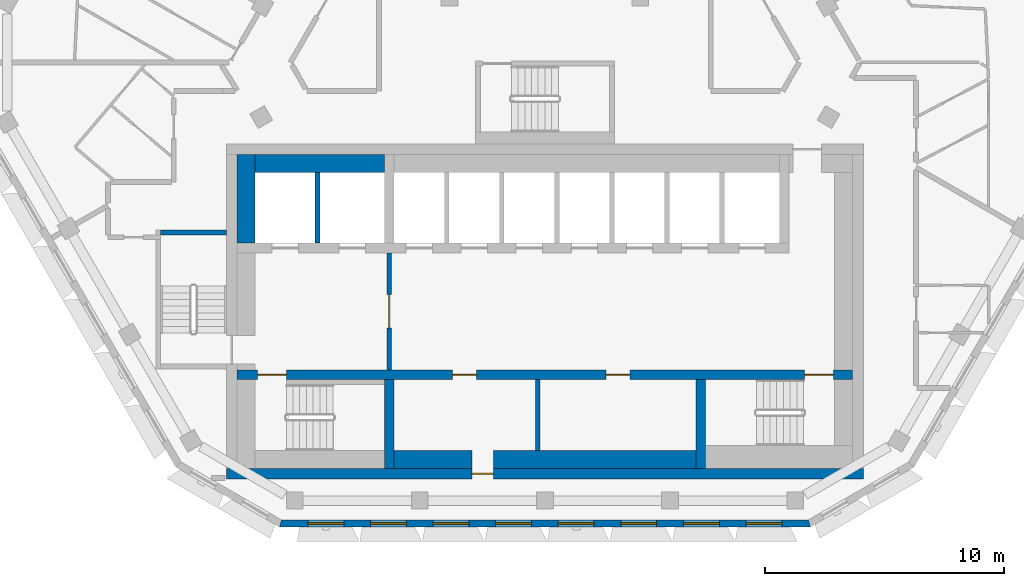
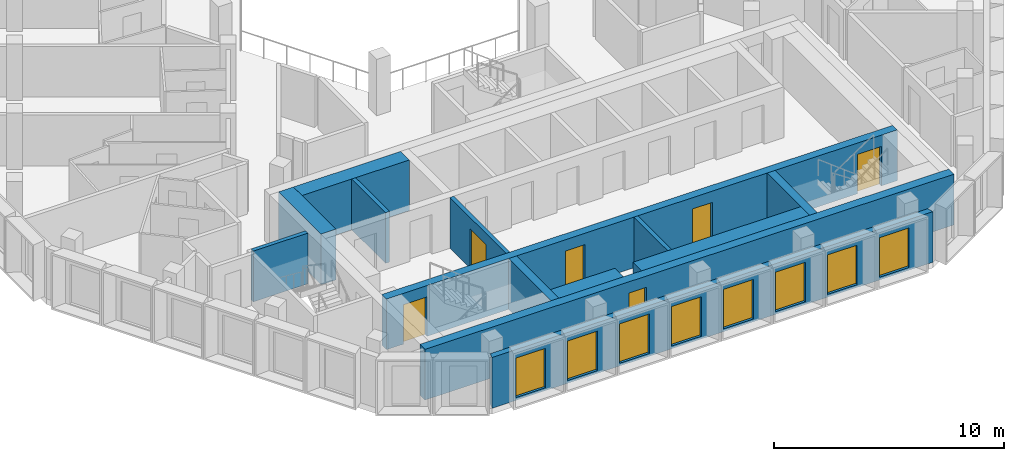
# One storey, part 3 of 16: 13 walls, 8 windows, 6 doors, 14 openings.
"""IFC4 building model written with IfcOpenShell, lengths in metres."""

from ifc_helpers import new_model, si_unit, direction, frame, frame_2d, origin, place, context, subcontext, project, spatial, polyline, rectangle, outline, extrude, material, layer, layer_set, type_object, element, fill, save


model = new_model("IFC4")

# Units and contexts
model_context = context("Model", 3, precision=1e-05, world=origin(), true_north=direction((0.0, 1.0)))
body_context = subcontext(model_context, "Body", "Model", "MODEL_VIEW")
ifc_project = project(units=[si_unit("LENGTHUNIT", "METRE"), si_unit("AREAUNIT", "SQUARE_METRE"), si_unit("VOLUMEUNIT", "CUBIC_METRE"), si_unit("PLANEANGLEUNIT", "RADIAN"), si_unit("MASSUNIT", "GRAM", prefix="KILO")], contexts=[model_context])

# Site, building, storey
site_placement = place(None, origin())
site = spatial("IfcSite", under=ifc_project, at=site_placement, CompositionType="ELEMENT")
building_placement = place(site_placement, origin())
building = spatial("IfcBuilding", under=site, at=building_placement, Name="Beryl Residences", CompositionType="ELEMENT")
storey_placement = place(building_placement, frame((0.0, 0.0, 208.800048828125)))
storey = spatial("IfcBuildingStorey", under=building, at=storey_placement, Name="L64", CompositionType="ELEMENT", Elevation=208.800048828125)

# Wall, openings, windows
ifc_material_1 = material(Name="Composite metal panel with mineral wool insulation")
ifc_layer_1 = layer(ifc_material_1, 0.300048828125)
ifc_layer_set_1 = layer_set([ifc_layer_1], Name="ES1 pale metal composite panel wall 300 mm")
wall_type_1 = type_object("IfcWallType", Name="ES1 pale metal composite panel wall 300 mm", PredefinedType="SOLIDWALL", material=ifc_layer_set_1)
wall_1_placement = place(storey_placement, frame((-11.0849609375, -20.85009765625, 0.0), z_axis=(0.0, 0.0, 1.0), x_axis=(1.0, 0.0, 0.0)))
wall_1 = element("IfcWall", 1, at=wall_1_placement, inside=storey, type_object=wall_type_1, Name="ES1 external wall L64 S", PredefinedType="SOLIDWALL", context=body_context, shape_type="SweptSolid", body=[
    extrude(outline(polyline([(0.0, -0.14990234375), (22.169921875, -0.14990234375), (22.089599609375, 0.14990234375), (0.080322265625, 0.14990234375), (0.0, -0.14990234375)])), origin(), (0.0, 0.0, 1.0), 2.699951171875),
])
opening_1_placement = place(wall_1_placement, frame((1.19091796875, 0.0, 0.14990234375)))
opening_1 = element("IfcOpeningElement", 2, at=opening_1_placement, cuts=wall_1, Name="Opening W1", PredefinedType="OPENING", context=body_context, shape_type="SweptSolid", body=[
    extrude(rectangle(XDim=1.5, YDim=2.10009765625, at=frame_2d((0.75, 1.050048828125))), frame((0.0, 0.159912109375, 0.0), z_axis=(0.0, -1.0, 0.0), x_axis=(1.0, 0.0, 0.0)), (0.0, 0.0, 1.0), 0.320068359375),
])
opening_2_placement = place(wall_1_placement, frame((3.803955078125, 0.0, 0.14990234375)))
opening_2 = element("IfcOpeningElement", 3, at=opening_2_placement, cuts=wall_1, Name="Opening W1", PredefinedType="OPENING", context=body_context, shape_type="SweptSolid", body=[
    extrude(rectangle(XDim=1.5, YDim=2.10009765625, at=frame_2d((0.75, 1.050048828125))), frame((0.0, 0.159912109375, 0.0), z_axis=(0.0, -1.0, 0.0), x_axis=(1.0, 0.0, 0.0)), (0.0, 0.0, 1.0), 0.320068359375),
])
opening_3_placement = place(wall_1_placement, frame((6.416015625, 0.0, 0.14990234375)))
opening_3 = element("IfcOpeningElement", 4, at=opening_3_placement, cuts=wall_1, Name="Opening W1", PredefinedType="OPENING", context=body_context, shape_type="SweptSolid", body=[
    extrude(rectangle(XDim=1.5, YDim=2.10009765625, at=frame_2d((0.75, 1.050048828125))), frame((0.0, 0.159912109375, 0.0), z_axis=(0.0, -1.0, 0.0), x_axis=(1.0, 0.0, 0.0)), (0.0, 0.0, 1.0), 0.320068359375),
])
opening_4_placement = place(wall_1_placement, frame((9.029052734375, 0.0, 0.14990234375)))
opening_4 = element("IfcOpeningElement", 5, at=opening_4_placement, cuts=wall_1, Name="Opening W1", PredefinedType="OPENING", context=body_context, shape_type="SweptSolid", body=[
    extrude(rectangle(XDim=1.5, YDim=2.10009765625, at=frame_2d((0.75, 1.050048828125))), frame((0.0, 0.159912109375, 0.0), z_axis=(0.0, -1.0, 0.0), x_axis=(1.0, 0.0, 0.0)), (0.0, 0.0, 1.0), 0.320068359375),
])
opening_5_placement = place(wall_1_placement, frame((11.64111328125, 0.0, 0.14990234375)))
opening_5 = element("IfcOpeningElement", 6, at=opening_5_placement, cuts=wall_1, Name="Opening W1", PredefinedType="OPENING", context=body_context, shape_type="SweptSolid", body=[
    extrude(rectangle(XDim=1.5, YDim=2.10009765625, at=frame_2d((0.75, 1.050048828125))), frame((0.0, 0.159912109375, 0.0), z_axis=(0.0, -1.0, 0.0), x_axis=(1.0, 0.0, 0.0)), (0.0, 0.0, 1.0), 0.320068359375),
])
opening_6_placement = place(wall_1_placement, frame((14.25390625, 0.0, 0.14990234375)))
opening_6 = element("IfcOpeningElement", 7, at=opening_6_placement, cuts=wall_1, Name="Opening W1", PredefinedType="OPENING", context=body_context, shape_type="SweptSolid", body=[
    extrude(rectangle(XDim=1.5, YDim=2.10009765625, at=frame_2d((0.75, 1.050048828125))), frame((0.0, 0.159912109375, 0.0), z_axis=(0.0, -1.0, 0.0), x_axis=(1.0, 0.0, 0.0)), (0.0, 0.0, 1.0), 0.320068359375),
])
opening_7_placement = place(wall_1_placement, frame((16.865966796875, 0.0, 0.14990234375)))
opening_7 = element("IfcOpeningElement", 8, at=opening_7_placement, cuts=wall_1, Name="Opening W1", PredefinedType="OPENING", context=body_context, shape_type="SweptSolid", body=[
    extrude(rectangle(XDim=1.5, YDim=2.10009765625, at=frame_2d((0.75, 1.050048828125))), frame((0.0, 0.159912109375, 0.0), z_axis=(0.0, -1.0, 0.0), x_axis=(1.0, 0.0, 0.0)), (0.0, 0.0, 1.0), 0.320068359375),
])
opening_8_placement = place(wall_1_placement, frame((19.47900390625, 0.0, 0.14990234375)))
opening_8 = element("IfcOpeningElement", 9, at=opening_8_placement, cuts=wall_1, Name="Opening W1", PredefinedType="OPENING", context=body_context, shape_type="SweptSolid", body=[
    extrude(rectangle(XDim=1.5, YDim=2.10009765625, at=frame_2d((0.75, 1.050048828125))), frame((0.0, 0.159912109375, 0.0), z_axis=(0.0, -1.0, 0.0), x_axis=(1.0, 0.0, 0.0)), (0.0, 0.0, 1.0), 0.320068359375),
])
ifc_material_2 = material(Name="Aluminium and clear glass", Category="aluminium")
window_type = type_object("IfcWindowType", Name="W1 cell window 1500 x 2100 mm", PartitioningType="SINGLE_PANEL", PredefinedType="WINDOW", material=ifc_material_2)
window_1_placement = place(opening_1_placement, origin())
window_1 = element("IfcWindow", 10, at=window_1_placement, inside=storey, type_object=window_type, Name="W1 window L64 S 1", OverallHeight=2.10009765625, OverallWidth=1.5, PartitioningType="SINGLE_PANEL", PredefinedType="WINDOW", context=body_context, shape_type="SweptSolid", body=[
    extrude(rectangle(XDim=1.5, YDim=2.10009765625, at=frame_2d((0.75, 1.050048828125))), frame((0.0, 0.030029296875, 0.0), z_axis=(0.0, -1.0, 0.0), x_axis=(1.0, 0.0, 0.0)), (0.0, 0.0, 1.0), 0.06005859375),
])
fill(opening_1, window_1)
window_2_placement = place(opening_2_placement, origin())
window_2 = element("IfcWindow", 11, at=window_2_placement, inside=storey, type_object=window_type, Name="W1 window L64 S 2", OverallHeight=2.10009765625, OverallWidth=1.5, PartitioningType="SINGLE_PANEL", PredefinedType="WINDOW", context=body_context, shape_type="SweptSolid", body=[
    extrude(rectangle(XDim=1.5, YDim=2.10009765625, at=frame_2d((0.75, 1.050048828125))), frame((0.0, 0.030029296875, 0.0), z_axis=(0.0, -1.0, 0.0), x_axis=(1.0, 0.0, 0.0)), (0.0, 0.0, 1.0), 0.06005859375),
])
fill(opening_2, window_2)
window_3_placement = place(opening_3_placement, origin())
window_3 = element("IfcWindow", 12, at=window_3_placement, inside=storey, type_object=window_type, Name="W1 window L64 S 3", OverallHeight=2.10009765625, OverallWidth=1.5, PartitioningType="SINGLE_PANEL", PredefinedType="WINDOW", context=body_context, shape_type="SweptSolid", body=[
    extrude(rectangle(XDim=1.5, YDim=2.10009765625, at=frame_2d((0.75, 1.050048828125))), frame((0.0, 0.030029296875, 0.0), z_axis=(0.0, -1.0, 0.0), x_axis=(1.0, 0.0, 0.0)), (0.0, 0.0, 1.0), 0.06005859375),
])
fill(opening_3, window_3)
window_4_placement = place(opening_4_placement, origin())
window_4 = element("IfcWindow", 13, at=window_4_placement, inside=storey, type_object=window_type, Name="W1 window L64 S 4", OverallHeight=2.10009765625, OverallWidth=1.5, PartitioningType="SINGLE_PANEL", PredefinedType="WINDOW", context=body_context, shape_type="SweptSolid", body=[
    extrude(rectangle(XDim=1.5, YDim=2.10009765625, at=frame_2d((0.75, 1.050048828125))), frame((0.0, 0.030029296875, 0.0), z_axis=(0.0, -1.0, 0.0), x_axis=(1.0, 0.0, 0.0)), (0.0, 0.0, 1.0), 0.06005859375),
])
fill(opening_4, window_4)
window_5_placement = place(opening_5_placement, origin())
window_5 = element("IfcWindow", 14, at=window_5_placement, inside=storey, type_object=window_type, Name="W1 window L64 S 5", OverallHeight=2.10009765625, OverallWidth=1.5, PartitioningType="SINGLE_PANEL", PredefinedType="WINDOW", context=body_context, shape_type="SweptSolid", body=[
    extrude(rectangle(XDim=1.5, YDim=2.10009765625, at=frame_2d((0.75, 1.050048828125))), frame((0.0, 0.030029296875, 0.0), z_axis=(0.0, -1.0, 0.0), x_axis=(1.0, 0.0, 0.0)), (0.0, 0.0, 1.0), 0.06005859375),
])
fill(opening_5, window_5)
window_6_placement = place(opening_6_placement, origin())
window_6 = element("IfcWindow", 15, at=window_6_placement, inside=storey, type_object=window_type, Name="W1 window L64 S 6", OverallHeight=2.10009765625, OverallWidth=1.5, PartitioningType="SINGLE_PANEL", PredefinedType="WINDOW", context=body_context, shape_type="SweptSolid", body=[
    extrude(rectangle(XDim=1.5, YDim=2.10009765625, at=frame_2d((0.75, 1.050048828125))), frame((0.0, 0.030029296875, 0.0), z_axis=(0.0, -1.0, 0.0), x_axis=(1.0, 0.0, 0.0)), (0.0, 0.0, 1.0), 0.06005859375),
])
fill(opening_6, window_6)
window_7_placement = place(opening_7_placement, origin())
window_7 = element("IfcWindow", 16, at=window_7_placement, inside=storey, type_object=window_type, Name="W1 window L64 S 7", OverallHeight=2.10009765625, OverallWidth=1.5, PartitioningType="SINGLE_PANEL", PredefinedType="WINDOW", context=body_context, shape_type="SweptSolid", body=[
    extrude(rectangle(XDim=1.5, YDim=2.10009765625, at=frame_2d((0.75, 1.050048828125))), frame((0.0, 0.030029296875, 0.0), z_axis=(0.0, -1.0, 0.0), x_axis=(1.0, 0.0, 0.0)), (0.0, 0.0, 1.0), 0.06005859375),
])
fill(opening_7, window_7)
window_8_placement = place(opening_8_placement, origin())
window_8 = element("IfcWindow", 17, at=window_8_placement, inside=storey, type_object=window_type, Name="W1 window L64 S 8", OverallHeight=2.10009765625, OverallWidth=1.5, PartitioningType="SINGLE_PANEL", PredefinedType="WINDOW", context=body_context, shape_type="SweptSolid", body=[
    extrude(rectangle(XDim=1.5, YDim=2.10009765625, at=frame_2d((0.75, 1.050048828125))), frame((0.0, 0.030029296875, 0.0), z_axis=(0.0, -1.0, 0.0), x_axis=(1.0, 0.0, 0.0)), (0.0, 0.0, 1.0), 0.06005859375),
])
fill(opening_8, window_8)

# Wall, opening, door
ifc_material_3 = material(Name="Concrete masonry", Category="masonry")
ifc_layer_2 = layer(ifc_material_3, 0.199951171875)
ifc_layer_set_2 = layer_set([ifc_layer_2], Name="PT13 lobby wall 200 mm")
wall_type_2 = type_object("IfcWallType", Name="PT13 lobby wall 200 mm", PredefinedType="PARTITIONING", material=ifc_layer_set_2)
wall_2_placement = place(storey_placement, frame((-6.5, -14.449951171875, 0.0), z_axis=(0.0, 0.0, 1.0), x_axis=(0.0, 1.0, 0.0)))
wall_2 = element("IfcWall", 18, at=wall_2_placement, inside=storey, type_object=wall_type_2, Name="Lobby wall 12", PredefinedType="PARTITIONING", context=body_context, shape_type="SweptSolid", body=[
    extrude(rectangle(XDim=4.89990234375, YDim=0.199951171875, at=frame_2d((2.449951171875, 0.0))), origin(), (0.0, 0.0, 1.0), 2.699951171875),
])
opening_9_placement = place(wall_2_placement, frame((3.14990234375, 0.0, 0.0), z_axis=(0.0, 0.0, 1.0), x_axis=(-1.0, 0.0, 0.0)))
opening_9 = element("IfcOpeningElement", 19, at=opening_9_placement, cuts=wall_2, Name="Opening FD-FFL", PredefinedType="OPENING", context=body_context, shape_type="SweptSolid", body=[
    extrude(rectangle(XDim=1.39990234375, YDim=2.10009765625, at=frame_2d((0.699951171875, 1.050048828125))), frame((0.0, 0.10986328125, 0.0), z_axis=(0.0, -1.0, 0.0), x_axis=(1.0, 0.0, 0.0)), (0.0, 0.0, 1.0), 0.219970703125),
])
ifc_material_4 = material(Name="Steel door leaf in steel frame", Category="steel")
door_type_1 = type_object("IfcDoorType", Name="D5 lobby door 1400 x 2100 mm", OperationType="DOUBLE_DOOR_SINGLE_SWING", PredefinedType="DOOR", material=ifc_material_4)
door_1_placement = place(opening_9_placement, origin())
door_1 = element("IfcDoor", 20, at=door_1_placement, inside=storey, type_object=door_type_1, Name="Door FD-FFL L64 001", OperationType="DOUBLE_DOOR_SINGLE_SWING", OverallHeight=2.10009765625, OverallWidth=1.39990234375, PredefinedType="DOOR", context=body_context, shape_type="SweptSolid", body=[
    extrude(rectangle(XDim=1.39990234375, YDim=2.10009765625, at=frame_2d((0.699951171875, 1.050048828125))), frame((0.0, 0.02490234375, 0.0), z_axis=(0.0, -1.0, 0.0), x_axis=(1.0, 0.0, 0.0)), (0.0, 0.0, 1.0), 0.050048828125),
])
fill(opening_9, door_1)

# Walls
ifc_material_5 = material(Name="Concrete C40/50", Category="concrete")
ifc_layer_3 = layer(ifc_material_5, 0.199951171875)
ifc_layer_set_3 = layer_set([ifc_layer_3], Name="PT5 stair enclosure wall 200 mm reinforced concrete C40/50")
wall_type_3 = type_object("IfcWallType", Name="PT5 stair enclosure wall 200 mm reinforced concrete C40/50", PredefinedType="SOLIDWALL", material=ifc_layer_set_3)
wall_3_placement = place(storey_placement, frame((-16.050048828125, -8.699951171875, 0.0), z_axis=(0.0, 0.0, 1.0), x_axis=(1.0, 0.0, 0.0)))
element("IfcWall", 21, at=wall_3_placement, inside=storey, type_object=wall_type_3, Name="Stair wall 03", PredefinedType="SOLIDWALL", context=body_context, shape_type="SweptSolid", body=[
    extrude(rectangle(XDim=2.75, YDim=0.199951171875, at=frame_2d((1.375, 0.0))), origin(), (0.0, 0.0, 1.0), 2.699951171875),
])
ifc_material_6 = material(Name="Concrete C40/50", Category="concrete")
ifc_layer_4 = layer(ifc_material_6, 0.199951171875)
ifc_layer_set_4 = layer_set([ifc_layer_4], Name="PT6 lift shaft wall 200 mm reinforced concrete C40/50")
wall_type_4 = type_object("IfcWallType", Name="PT6 lift shaft wall 200 mm reinforced concrete C40/50", PredefinedType="SOLIDWALL", material=ifc_layer_set_4)
wall_4_placement = place(storey_placement, frame((-9.5, -9.14990234375, 0.0), z_axis=(0.0, 0.0, 1.0), x_axis=(0.0, 1.0, 0.0)))
element("IfcWall", 22, at=wall_4_placement, inside=storey, type_object=wall_type_4, Name="Lift shaft wall 11", PredefinedType="SOLIDWALL", context=body_context, shape_type="SweptSolid", body=[
    extrude(rectangle(XDim=2.949951171875, YDim=0.199951171875, at=frame_2d((1.47509765625, 0.0))), origin(), (0.0, 0.0, 1.0), 2.699951171875),
])
ifc_material_7 = material(Name="Concrete C40/50", Category="concrete")
ifc_layer_5 = layer(ifc_material_7, 0.75)
ifc_layer_set_5 = layer_set([ifc_layer_5], Name="PT6-750 lift shaft wall 750 mm")
wall_type_5 = type_object("IfcWallType", Name="PT6-750 lift shaft wall 750 mm", PredefinedType="SOLIDWALL", material=ifc_layer_set_5)
wall_5_placement = place(storey_placement, frame((-12.47509765625, -9.14990234375, 0.0), z_axis=(0.0, 0.0, 1.0), x_axis=(0.0, 1.0, 0.0)))
element("IfcWall", 23, at=wall_5_placement, inside=storey, type_object=wall_type_5, Name="Lift shaft wall 07", PredefinedType="SOLIDWALL", context=body_context, shape_type="SweptSolid", body=[
    extrude(rectangle(XDim=3.699951171875, YDim=0.75, at=frame_2d((1.85009765625, 0.0))), origin(), (0.0, 0.0, 1.0), 2.699951171875),
])
wall_6_placement = place(storey_placement, frame((-12.10009765625, -5.824951171875, 0.0), z_axis=(0.0, 0.0, 1.0), x_axis=(1.0, 0.0, 0.0)))
element("IfcWall", 24, at=wall_6_placement, inside=storey, type_object=wall_type_5, Name="Lift shaft wall 09", PredefinedType="SOLIDWALL", context=body_context, shape_type="SweptSolid", body=[
    extrude(rectangle(XDim=5.400146484375, YDim=0.75, at=frame_2d((2.7001953125, 0.0))), origin(), (0.0, 0.0, 1.0), 2.699951171875),
])
ifc_material_8 = material(Name="Concrete masonry", Category="masonry")
ifc_layer_6 = layer(ifc_material_8, 0.199951171875)
ifc_layer_set_6 = layer_set([ifc_layer_6], Name="PT8-200 service room wall 200 mm")
wall_type_6 = type_object("IfcWallType", Name="PT8-200 service room wall 200 mm", PredefinedType="PARTITIONING", material=ifc_layer_set_6)
wall_7_placement = place(storey_placement, frame((-0.300048828125, -17.800048828125, 0.0), z_axis=(0.0, 0.0, 1.0), x_axis=(0.0, 1.0, 0.0)))
element("IfcWall", 25, at=wall_7_placement, inside=storey, type_object=wall_type_6, Name="Core room wall 18", PredefinedType="PARTITIONING", context=body_context, shape_type="SweptSolid", body=[
    extrude(rectangle(XDim=2.949951171875, YDim=0.199951171875, at=frame_2d((1.47509765625, 0.0))), origin(), (0.0, 0.0, 1.0), 2.699951171875),
])
ifc_material_9 = material(Name="Concrete masonry", Category="masonry")
ifc_layer_7 = layer(ifc_material_9, 0.75)
ifc_layer_set_7 = layer_set([ifc_layer_7], Name="PT8-750 service room wall 750 mm")
wall_type_7 = type_object("IfcWallType", Name="PT8-750 service room wall 750 mm", PredefinedType="PARTITIONING", material=ifc_layer_set_7)
wall_8_placement = place(storey_placement, frame((-6.300048828125, -18.175048828125, 0.0), z_axis=(0.0, 0.0, 1.0), x_axis=(1.0, 0.0, 0.0)))
element("IfcWall", 26, at=wall_8_placement, inside=storey, type_object=wall_type_7, Name="Core room wall 13", PredefinedType="PARTITIONING", context=body_context, shape_type="SweptSolid", body=[
    extrude(rectangle(XDim=3.25, YDim=0.75, at=frame_2d((1.625, 0.0))), origin(), (0.0, 0.0, 1.0), 2.699951171875),
])
wall_9_placement = place(storey_placement, frame((-2.14990234375, -18.175048828125, 0.0), z_axis=(0.0, 0.0, 1.0), x_axis=(1.0, 0.0, 0.0)))
element("IfcWall", 27, at=wall_9_placement, inside=storey, type_object=wall_type_7, Name="Core room wall 16", PredefinedType="PARTITIONING", context=body_context, shape_type="SweptSolid", body=[
    extrude(rectangle(XDim=8.449951171875, YDim=0.75, at=frame_2d((4.22509765625, 0.0))), origin(), (0.0, 0.0, 1.0), 2.699951171875),
])

# Wall, openings, doors
ifc_material_10 = material(Name="Concrete C50/60", Category="concrete")
ifc_layer_8 = layer(ifc_material_10, 0.39990234375)
ifc_layer_set_8 = layer_set([ifc_layer_8], Name="SW10 core internal wall 400 mm C50/60")
wall_type_8 = type_object("IfcWallType", Name="SW10 core internal wall 400 mm C50/60", PredefinedType="SHEAR", material=ifc_layer_set_8)
wall_10_placement = place(storey_placement, frame((-12.85009765625, -14.64990234375, 0.0), z_axis=(0.0, 0.0, 1.0), x_axis=(1.0, 0.0, 0.0)))
wall_10 = element("IfcWall", 28, at=wall_10_placement, inside=storey, type_object=wall_type_8, Name="Core wall SP1 L64", PredefinedType="SHEAR", context=body_context, shape_type="SweptSolid", body=[
    extrude(rectangle(XDim=25.7001953125, YDim=0.39990234375, at=frame_2d((12.85009765625, 0.0))), origin(), (0.0, 0.0, 1.0), 2.699951171875),
])
opening_10_placement = place(wall_10_placement, frame((2.050048828125, 0.0, 0.0), z_axis=(0.0, 0.0, 1.0), x_axis=(-1.0, 0.0, 0.0)))
opening_10 = element("IfcOpeningElement", 29, at=opening_10_placement, cuts=wall_10, Name="Opening SD-1", PredefinedType="OPENING", context=body_context, shape_type="SweptSolid", body=[
    extrude(rectangle(XDim=1.199951171875, YDim=2.10009765625, at=frame_2d((0.60009765625, 1.050048828125))), frame((0.0, 0.2099609375, 0.0), z_axis=(0.0, -1.0, 0.0), x_axis=(1.0, 0.0, 0.0)), (0.0, 0.0, 1.0), 0.419921875),
])
opening_11_placement = place(wall_10_placement, frame((24.89990234375, 0.0, 0.0), z_axis=(0.0, 0.0, 1.0), x_axis=(-1.0, 0.0, 0.0)))
opening_11 = element("IfcOpeningElement", 30, at=opening_11_placement, cuts=wall_10, Name="Opening SD-3", PredefinedType="OPENING", context=body_context, shape_type="SweptSolid", body=[
    extrude(rectangle(XDim=1.199951171875, YDim=2.10009765625, at=frame_2d((0.60009765625, 1.050048828125))), frame((0.0, 0.2099609375, 0.0), z_axis=(0.0, -1.0, 0.0), x_axis=(1.0, 0.0, 0.0)), (0.0, 0.0, 1.0), 0.419921875),
])
opening_12_placement = place(wall_10_placement, frame((10.0, 0.0, 0.0), z_axis=(0.0, 0.0, 1.0), x_axis=(-1.0, 0.0, 0.0)))
opening_12 = element("IfcOpeningElement", 31, at=opening_12_placement, cuts=wall_10, Name="Opening CD-D-S1", PredefinedType="OPENING", context=body_context, shape_type="SweptSolid", body=[
    extrude(rectangle(XDim=1.0, YDim=2.10009765625, at=frame_2d((0.5, 1.050048828125))), frame((0.0, 0.2099609375, 0.0), z_axis=(0.0, -1.0, 0.0), x_axis=(1.0, 0.0, 0.0)), (0.0, 0.0, 1.0), 0.419921875),
])
opening_13_placement = place(wall_10_placement, frame((16.39990234375, 0.0, 0.0), z_axis=(0.0, 0.0, 1.0), x_axis=(-1.0, 0.0, 0.0)))
opening_13 = element("IfcOpeningElement", 32, at=opening_13_placement, cuts=wall_10, Name="Opening CD-D-S2", PredefinedType="OPENING", context=body_context, shape_type="SweptSolid", body=[
    extrude(rectangle(XDim=1.0, YDim=2.10009765625, at=frame_2d((0.5, 1.050048828125))), frame((0.0, 0.2099609375, 0.0), z_axis=(0.0, -1.0, 0.0), x_axis=(1.0, 0.0, 0.0)), (0.0, 0.0, 1.0), 0.419921875),
])
ifc_material_11 = material(Name="Steel door leaf in steel frame", Category="steel")
door_type_2 = type_object("IfcDoorType", Name="D18 service room door 1000 x 2100 mm", OperationType="SINGLE_SWING_LEFT", PredefinedType="DOOR", material=ifc_material_11)
door_2_placement = place(opening_12_placement, origin())
door_2 = element("IfcDoor", 33, at=door_2_placement, inside=storey, type_object=door_type_2, Name="Door CD-D-S1 L64 001", OperationType="SINGLE_SWING_RIGHT", OverallHeight=2.10009765625, OverallWidth=1.0, PredefinedType="DOOR", context=body_context, shape_type="SweptSolid", body=[
    extrude(rectangle(XDim=1.0, YDim=2.10009765625, at=frame_2d((0.5, 1.050048828125))), frame((0.0, 0.02490234375, 0.0), z_axis=(0.0, -1.0, 0.0), x_axis=(1.0, 0.0, 0.0)), (0.0, 0.0, 1.0), 0.050048828125),
])
fill(opening_12, door_2)
door_3_placement = place(opening_13_placement, origin())
door_3 = element("IfcDoor", 34, at=door_3_placement, inside=storey, type_object=door_type_2, Name="Door CD-D-S2 L64 001", OperationType="SINGLE_SWING_LEFT", OverallHeight=2.10009765625, OverallWidth=1.0, PredefinedType="DOOR", context=body_context, shape_type="SweptSolid", body=[
    extrude(rectangle(XDim=1.0, YDim=2.10009765625, at=frame_2d((0.5, 1.050048828125))), frame((0.0, 0.02490234375, 0.0), z_axis=(0.0, -1.0, 0.0), x_axis=(1.0, 0.0, 0.0)), (0.0, 0.0, 1.0), 0.050048828125),
])
fill(opening_13, door_3)
ifc_material_12 = material(Name="Steel door leaf in steel frame", Category="steel")
door_type_3 = type_object("IfcDoorType", Name="D4 stair door 1200 x 2100 mm", OperationType="SINGLE_SWING_LEFT", PredefinedType="DOOR", material=ifc_material_12)
door_4_placement = place(opening_10_placement, origin())
door_4 = element("IfcDoor", 35, at=door_4_placement, inside=storey, type_object=door_type_3, Name="Door SD-1 L64 001", OperationType="SINGLE_SWING_RIGHT", OverallHeight=2.10009765625, OverallWidth=1.199951171875, PredefinedType="DOOR", context=body_context, shape_type="SweptSolid", body=[
    extrude(rectangle(XDim=1.199951171875, YDim=2.10009765625, at=frame_2d((0.60009765625, 1.050048828125))), frame((0.0, 0.02490234375, 0.0), z_axis=(0.0, -1.0, 0.0), x_axis=(1.0, 0.0, 0.0)), (0.0, 0.0, 1.0), 0.050048828125),
])
fill(opening_10, door_4)
door_5_placement = place(opening_11_placement, origin())
door_5 = element("IfcDoor", 36, at=door_5_placement, inside=storey, type_object=door_type_3, Name="Door SD-3 L64 001", OperationType="SINGLE_SWING_RIGHT", OverallHeight=2.10009765625, OverallWidth=1.199951171875, PredefinedType="DOOR", context=body_context, shape_type="SweptSolid", body=[
    extrude(rectangle(XDim=1.199951171875, YDim=2.10009765625, at=frame_2d((0.60009765625, 1.050048828125))), frame((0.0, 0.02490234375, 0.0), z_axis=(0.0, -1.0, 0.0), x_axis=(1.0, 0.0, 0.0)), (0.0, 0.0, 1.0), 0.050048828125),
])
fill(opening_11, door_5)

# Walls
for number, where, z_axis, x_axis, name in (
    (37, (-6.5, -18.550048828125, 0.0), (0.0, 0.0, 1.0), (0.0, 1.0, 0.0), "Core wall XS1 L64"),
    (38, (6.5, -18.550048828125, 0.0), (0.0, 0.0, 1.0), (0.0, 1.0, 0.0), "Core wall XS2 L64"),
):
    element("IfcWall", number, at=place(storey_placement, frame(where, z_axis=z_axis, x_axis=x_axis)), inside=storey, type_object=wall_type_8, Name=name, PredefinedType="SHEAR", context=body_context, shape_type="SweptSolid", body=[
        extrude(rectangle(XDim=3.699951171875, YDim=0.39990234375, at=frame_2d((1.85009765625, 0.0))), origin(), (0.0, 0.0, 1.0), 2.699951171875),
    ])

# Wall, opening, door
ifc_material_13 = material(Name="Concrete C50/60", Category="concrete")
ifc_layer_9 = layer(ifc_material_13, 0.449951171875)
ifc_layer_set_9 = layer_set([ifc_layer_9], Name="SW5 core outer wall 450 mm C50/60")
wall_type_9 = type_object("IfcWallType", Name="SW5 core outer wall 450 mm C50/60", PredefinedType="SHEAR", material=ifc_layer_set_9)
wall_11_placement = place(storey_placement, frame((-13.300048828125, -18.77490234375, 0.0), z_axis=(0.0, 0.0, 1.0), x_axis=(1.0, 0.0, 0.0)))
wall_11 = element("IfcWall", 39, at=wall_11_placement, inside=storey, type_object=wall_type_9, Name="Core wall S L64", PredefinedType="SHEAR", context=body_context, shape_type="SweptSolid", body=[
    extrude(rectangle(XDim=26.60009765625, YDim=0.449951171875, at=frame_2d((13.300048828125, 0.0))), origin(), (0.0, 0.0, 1.0), 2.699951171875),
])
opening_14_placement = place(wall_11_placement, frame((10.25, 0.0, 0.0)))
opening_14 = element("IfcOpeningElement", 40, at=opening_14_placement, cuts=wall_11, Name="Opening RD-RS", PredefinedType="OPENING", context=body_context, shape_type="SweptSolid", body=[
    extrude(rectangle(XDim=0.89990234375, YDim=2.10009765625, at=frame_2d((0.449951171875, 1.050048828125))), frame((0.0, 0.23486328125, 0.0), z_axis=(0.0, -1.0, 0.0), x_axis=(1.0, 0.0, 0.0)), (0.0, 0.0, 1.0), 0.469970703125),
])
ifc_material_14 = material(Name="Steel door leaf in steel frame", Category="steel")
door_type_4 = type_object("IfcDoorType", Name="D23 riser door 900 x 2100 mm", OperationType="SINGLE_SWING_LEFT", PredefinedType="DOOR", material=ifc_material_14)
door_6_placement = place(opening_14_placement, origin())
door_6 = element("IfcDoor", 41, at=door_6_placement, inside=storey, type_object=door_type_4, Name="Door RD-RS L64 001", OperationType="SINGLE_SWING_RIGHT", OverallHeight=2.10009765625, OverallWidth=0.89990234375, PredefinedType="DOOR", context=body_context, shape_type="SweptSolid", body=[
    extrude(rectangle(XDim=0.89990234375, YDim=2.10009765625, at=frame_2d((0.449951171875, 1.050048828125))), frame((0.0, 0.02490234375, 0.0), z_axis=(0.0, -1.0, 0.0), x_axis=(1.0, 0.0, 0.0)), (0.0, 0.0, 1.0), 0.050048828125),
])
fill(opening_14, door_6)

save(model, "model.ifc")
